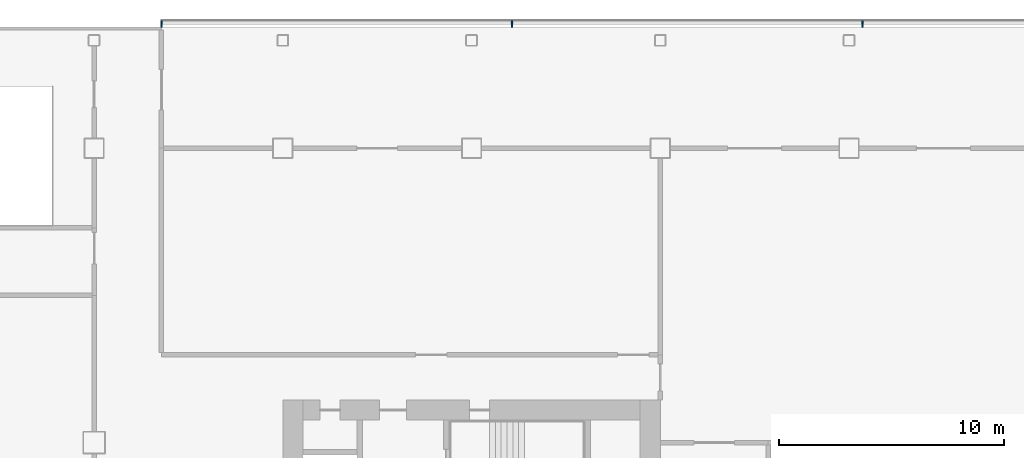
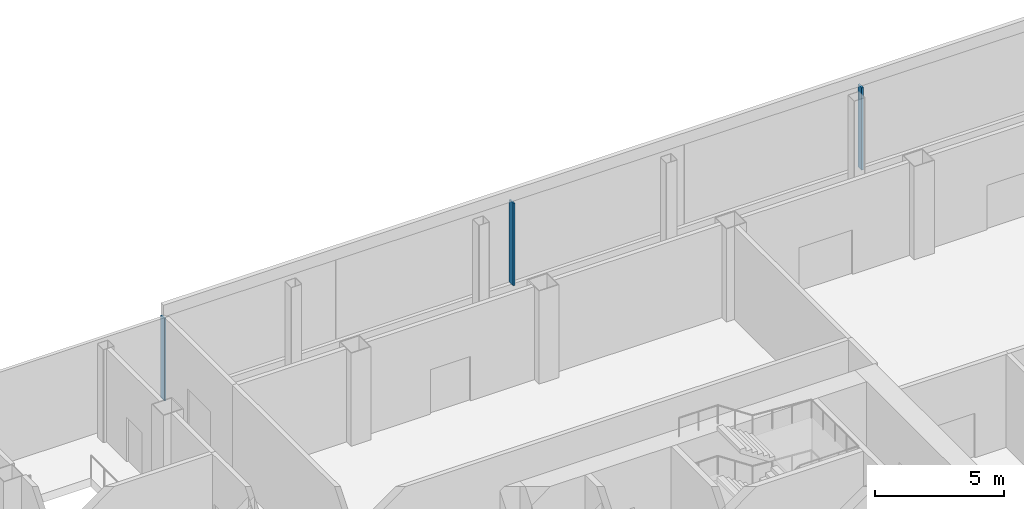
# One storey, part 7 of 53: 3 members, 1 element without a shape of its own.
"""IFC4 building model written with IfcOpenShell, lengths in metres."""

import ifcopenshell
import ifcopenshell.guid

model = None  # the IFC model being written
_history = None  # IfcOwnerHistory: only IFC2X3 demands one
_inside = {}  # id of a spatial element -> (the spatial element, [elements in it])
_under = {}  # id of a project, library or spatial element -> (it, [spatial elements below it])
_declared = {}  # id of a project -> (the project, [libraries it declares])
_typed = {}  # id of a type object -> (the type object, [elements of that type])
_made_of = {}  # id of a material, layer set ... -> (it, [elements and type objects made of it])


def new_model(schema):
    """Start an empty IFC model of exactly this schema.

    Asked for "IFC4X3", IfcOpenShell would pick the latest addendum, in which some entities
    have other attributes; the version numbers below select the first issue.
    IFC2X3 requires an IfcOwnerHistory on every rooted entity: one is made here for all.
    """
    global model, _history
    if schema == "IFC4X3":
        model = ifcopenshell.file(schema_version=(4, 3, 0, 0))
    else:
        model = ifcopenshell.file(schema=schema)
    _inside.clear()
    _under.clear()
    _declared.clear()
    _typed.clear()
    _made_of.clear()
    _history = None
    if model.schema == "IFC2X3":
        org = make("IfcOrganization", Name="unknown")
        user = make(
            "IfcPersonAndOrganization",
            ThePerson=make("IfcPerson", FamilyName="unknown"),
            TheOrganization=org,
        )
        app = make(
            "IfcApplication",
            ApplicationDeveloper=org,
            Version="unknown",
            ApplicationFullName="unknown",
            ApplicationIdentifier="unknown",
        )
        _history = make(
            "IfcOwnerHistory",
            OwningUser=user,
            OwningApplication=app,
            ChangeAction="ADDED",
            CreationDate=0,
        )
    return model


def make(cls, **values):
    """One entity of the class cls with the attributes given. An attribute that is None is left unset."""
    return model.create_entity(
        cls, **{name: value for name, value in values.items() if value is not None}
    )


def rooted(cls, **values):
    """An entity with a GlobalId (a new one), such as an element, a storey or a relation."""
    return make(cls, GlobalId=ifcopenshell.guid.new(), OwnerHistory=_history, **values)


def si_unit(unit_type, name, prefix=None):
    """IfcSIUnit, for example si_unit("LENGTHUNIT", "METRE", prefix="MILLI")."""
    return make("IfcSIUnit", UnitType=unit_type, Prefix=prefix, Name=name)


def assignment(units):
    """IfcUnitAssignment: the units of a project."""
    return None if units is None else make("IfcUnitAssignment", Units=units)


def point(xyz):
    """IfcCartesianPoint."""
    return None if xyz is None else make("IfcCartesianPoint", Coordinates=xyz)


def direction(xyz):
    """IfcDirection."""
    return None if xyz is None else make("IfcDirection", DirectionRatios=xyz)


def frame(location, z_axis=None, x_axis=None):
    """IfcAxis2Placement3D, a coordinate frame: its origin and axes. An axis left out is left unset."""
    return make(
        "IfcAxis2Placement3D",
        Location=point(location),
        Axis=direction(z_axis),
        RefDirection=direction(x_axis),
    )


def frame_2d(location, x_axis=None):
    """IfcAxis2Placement2D, a coordinate frame in the plane: its origin and x axis."""
    return make(
        "IfcAxis2Placement2D", Location=point(location), RefDirection=direction(x_axis)
    )


def origin():
    """The frame at (0, 0, 0) with its axes left unset."""
    return frame((0.0, 0.0, 0.0))


def origin_2d():
    """The frame at (0, 0) in the plane with its x axis left unset."""
    return frame_2d((0.0, 0.0))


def place(relative_to, where):
    """IfcLocalPlacement: puts the frame where relative to a parent placement (None: the world)."""
    return make(
        "IfcLocalPlacement", PlacementRelTo=relative_to, RelativePlacement=where
    )


def context(
    kind, dimensions, precision=None, world=None, true_north=None, identifier=None
):
    """IfcGeometricRepresentationContext, for example the 3D "Model" context."""
    return make(
        "IfcGeometricRepresentationContext",
        ContextIdentifier=identifier,
        ContextType=kind,
        CoordinateSpaceDimension=dimensions,
        Precision=precision,
        WorldCoordinateSystem=world,
        TrueNorth=true_north,
    )


def subcontext(parent, identifier, kind, view, scale=None):
    """IfcGeometricRepresentationSubContext, for example "Body" below "Model"."""
    return make(
        "IfcGeometricRepresentationSubContext",
        ContextIdentifier=identifier,
        ContextType=kind,
        ParentContext=parent,
        TargetScale=scale,
        TargetView=view,
    )


def project(units=None, contexts=None):
    """IfcProject with its units and contexts."""
    return rooted(
        "IfcProject",
        Name="project",
        RepresentationContexts=contexts,
        UnitsInContext=assignment(units),
    )


def spatial(cls, under=None, at=None, **own):
    """A site, building, storey or space (cls), placed at a placement, below another one or the project."""
    s = rooted(cls, ObjectPlacement=at, **own)
    if under is not None:
        _under.setdefault(under.id(), (under, []))[1].append(s)
    return s


def profile(cls, at=None, kind="AREA", **sizes):
    """A parametric profile (cls). Its sizes go by their IFC names, for example OverallWidth=200.0."""
    return make(cls, ProfileType=kind, Position=at, **sizes)


def rectangle(**sizes):
    """IfcRectangleProfileDef."""
    return profile("IfcRectangleProfileDef", **sizes)


def extrude(swept, where, along, depth):
    """IfcExtrudedAreaSolid: the profile swept, set in the frame where, extruded along a direction by depth."""
    return make(
        "IfcExtrudedAreaSolid",
        SweptArea=swept,
        Position=where,
        ExtrudedDirection=direction(along),
        Depth=depth,
    )


def shape(context_of_items, identifier, shape_type, items):
    """IfcShapeRepresentation: the items that make up one representation, for example the "Body"."""
    return make(
        "IfcShapeRepresentation",
        ContextOfItems=context_of_items,
        RepresentationIdentifier=identifier,
        RepresentationType=shape_type,
        Items=items,
    )


def material(Name=None, Category=None):
    """IfcMaterial."""
    return make("IfcMaterial", Name=Name, Category=Category)


def layer(
    of_material, thickness, ventilated=None, Name=None, Category=None, Priority=None
):
    """IfcMaterialLayer: one layer of a wall or slab, of a material (None: an air gap)."""
    return make(
        "IfcMaterialLayer",
        Material=of_material,
        LayerThickness=thickness,
        IsVentilated=ventilated,
        Name=Name,
        Category=Category,
        Priority=Priority,
    )


def layer_set(layers, Name=None):
    """IfcMaterialLayerSet."""
    return make("IfcMaterialLayerSet", MaterialLayers=layers, LayerSetName=Name)


def material_profile(
    of_material, cross_section, Name=None, Category=None, Priority=None
):
    """IfcMaterialProfile: a cross section and its material."""
    return make(
        "IfcMaterialProfile",
        Name=Name,
        Material=of_material,
        Profile=cross_section,
        Priority=Priority,
        Category=Category,
    )


def profile_set(profiles, Name=None, composite=None):
    """IfcMaterialProfileSet."""
    return make(
        "IfcMaterialProfileSet",
        Name=Name,
        MaterialProfiles=profiles,
        CompositeProfile=composite,
    )


def made_of(thing, what):
    """Note that an element or type object is made of a material, layer set ...; save() writes the relation."""
    if what is not None:
        _made_of.setdefault(what.id(), (what, []))[1].append(thing)
    return thing


def type_object(cls, material=None, **own):
    """A type object (cls), such as IfcWallType, which elements share."""
    return made_of(rooted(cls, **own), material)


def element(
    cls,
    number,
    at=None,
    inside=None,
    cuts=None,
    type_object=None,
    material=None,
    context=None,
    identifier="Body",
    shape_type=None,
    held_by="IfcProductDefinitionShape",
    body=None,
    shapes=None,
    **own,
):
    """One element of the class cls, such as IfcWall. Its Tag is "e" and its number.

    at: its placement. inside: the storey or other place that contains it. cuts: it is an
    opening in that element (IfcRelVoidsElement). A single representation is given by context,
    identifier, shape_type and body (its items); several are given by shapes. held_by: the class
    of the entity that holds the representations. save() writes the other relations.
    """
    e = rooted(cls, Tag="e%d" % number, ObjectPlacement=at, **own)
    if body is not None:
        shapes = [shape(context, identifier, shape_type, body)]
    if shapes is not None:
        e.Representation = make(held_by, Representations=shapes)
    if inside is not None:
        _inside.setdefault(inside.id(), (inside, []))[1].append(e)
    if cuts is not None:
        rooted(
            "IfcRelVoidsElement", RelatingBuildingElement=cuts, RelatedOpeningElement=e
        )
    if type_object is not None:
        _typed.setdefault(type_object.id(), (type_object, []))[1].append(e)
    return made_of(e, material)


def aggregate(whole, parts):
    """IfcRelAggregates: a whole, such as a stair, and the parts it consists of."""
    return rooted("IfcRelAggregates", RelatingObject=whole, RelatedObjects=parts)


def save(model, path):
    """Write the relations noted so far, then the file.

    IfcRelAggregates (storeys below a building ...), IfcRelContainedInSpatialStructure (elements
    in a storey), IfcRelDefinesByType, IfcRelAssociatesMaterial and IfcRelDeclares: one each for
    every whole, place, type object, material and project.
    """
    for whole, parts in _under.values():
        aggregate(whole, parts)
    for where, things in _inside.values():
        rooted(
            "IfcRelContainedInSpatialStructure",
            RelatedElements=things,
            RelatingStructure=where,
        )
    for kind, things in _typed.values():
        rooted("IfcRelDefinesByType", RelatedObjects=things, RelatingType=kind)
    for what, things in _made_of.values():
        rooted("IfcRelAssociatesMaterial", RelatedObjects=things, RelatingMaterial=what)
    for by, libraries in _declared.values():
        rooted("IfcRelDeclares", RelatingContext=by, RelatedDefinitions=libraries)
    model.write(path)


model = new_model("IFC4")

# Units and contexts
model_context = context("Model", 3, precision=1e-05, world=origin(), true_north=direction((0.0, 1.0)))
body_context = subcontext(model_context, "Body", "Model", "MODEL_VIEW")
ifc_project = project(units=[si_unit("LENGTHUNIT", "METRE"), si_unit("AREAUNIT", "SQUARE_METRE"), si_unit("VOLUMEUNIT", "CUBIC_METRE"), si_unit("PLANEANGLEUNIT", "RADIAN"), si_unit("MASSUNIT", "GRAM", prefix="KILO")], contexts=[model_context])

# Site, building, storey
site_placement = place(None, origin())
site = spatial("IfcSite", under=ifc_project, at=site_placement, CompositionType="ELEMENT")
building_placement = place(site_placement, origin())
building = spatial("IfcBuilding", under=site, at=building_placement, Name="Hakoniwa Tower and Hamabe Station Hall", CompositionType="ELEMENT")
storey_placement = place(building_placement, frame((0.0, 0.0, 15.0)))
storey = spatial("IfcBuildingStorey", under=building, at=storey_placement, Name="L03", CompositionType="ELEMENT", Elevation=15.0)

# Curtain wall, members
ifc_material_1 = material(Name="Dark low-e laminated glass", Category="glass")
ifc_layer = layer(ifc_material_1, 0.199951171875)
ifc_layer_set = layer_set([ifc_layer], Name="CW-3 PODIUM LOBBY")
curtain_wall_type = type_object("IfcCurtainWallType", Name="CW-3 PODIUM LOBBY", PredefinedType="NOTDEFINED", material=ifc_layer_set)
curtain_wall_placement = place(storey_placement, origin())
curtain_wall = element("IfcCurtainWall", 1, at=curtain_wall_placement, inside=storey, type_object=curtain_wall_type, Name="Podium curtain wall L03 north 1", PredefinedType="NOTDEFINED")
ifc_material_2 = material(Name="Aluminium 6063-T5 black anodised", Category="aluminium")
ifc_material_profile = material_profile(ifc_material_2, rectangle(XDim=0.080078125, YDim=0.300048828125, at=origin_2d()), Name="CW-3 MULLION 80X300")
ifc_profile_set = profile_set([ifc_material_profile], Name="Aluminium 6063-T5 black anodised")
member_type = type_object("IfcMemberType", Name="CW-3 MULLION 80X300", PredefinedType="MULLION", material=ifc_profile_set)
member_1_placement = place(storey_placement, frame((-7.800048828125, 25.1220703125, 0.35009765625), z_axis=(0.0, 0.0, 1.0), x_axis=(-1.0, 0.0, 0.0)))
member_1 = element("IfcMember", 2, at=member_1_placement, type_object=member_type, Name="CW-3 mullion", PredefinedType="MULLION", context=body_context, shape_type="SweptSolid", body=[
    extrude(rectangle(XDim=0.080078125, YDim=0.300048828125, at=origin_2d()), origin(), (0.0, 0.0, 1.0), 3.89990234375),
])
member_2_placement = place(storey_placement, frame((-23.39990234375, 25.1220703125, 0.35009765625), z_axis=(0.0, 0.0, 1.0), x_axis=(-1.0, 0.0, 0.0)))
member_2 = element("IfcMember", 3, at=member_2_placement, type_object=member_type, Name="CW-3 mullion", PredefinedType="MULLION", context=body_context, shape_type="SweptSolid", body=[
    extrude(rectangle(XDim=0.080078125, YDim=0.300048828125, at=origin_2d()), origin(), (0.0, 0.0, 1.0), 3.89990234375),
])
member_3_placement = place(storey_placement, frame((-39.0, 25.1220703125, 0.35009765625), z_axis=(0.0, 0.0, 1.0), x_axis=(-1.0, 0.0, 0.0)))
member_3 = element("IfcMember", 4, at=member_3_placement, type_object=member_type, Name="CW-3 mullion", PredefinedType="MULLION", context=body_context, shape_type="SweptSolid", body=[
    extrude(rectangle(XDim=0.080078125, YDim=0.300048828125, at=origin_2d()), origin(), (0.0, 0.0, 1.0), 3.89990234375),
])
aggregate(curtain_wall, [member_1, member_2, member_3])

save(model, "model.ifc")
